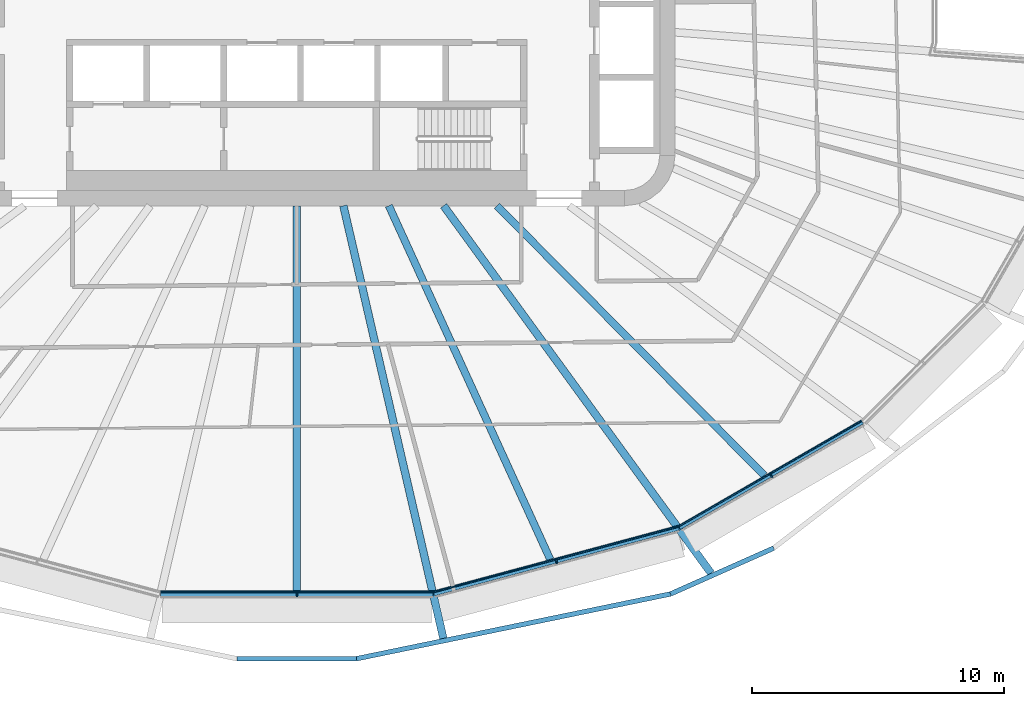
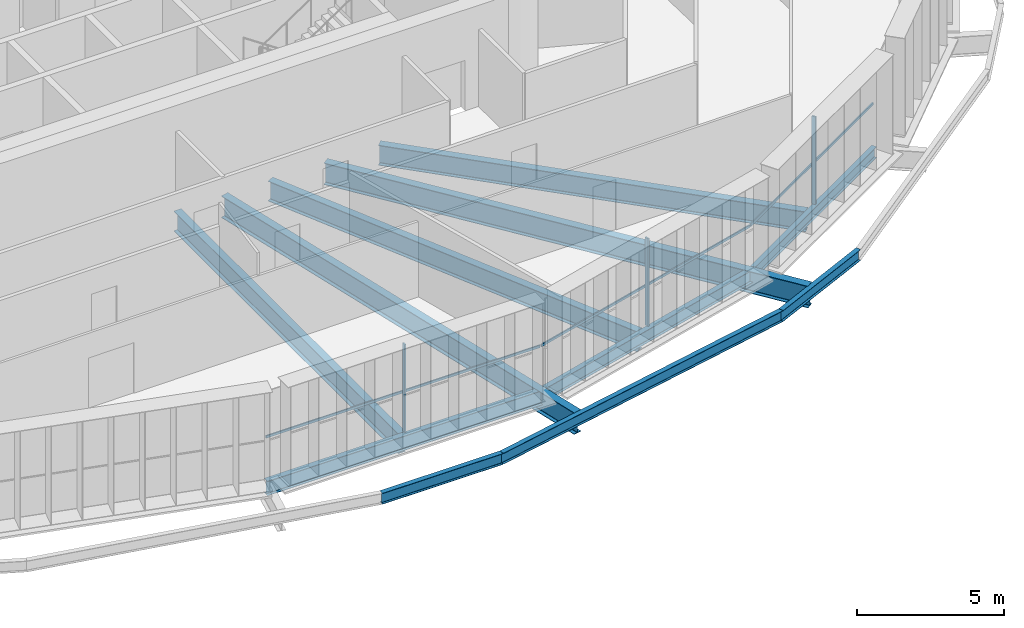
# One storey, part 4 of 28: 11 beams, 6 members, 3 elements without a shape of their own.
"""IFC4 building model written with IfcOpenShell, lengths in metres."""

from ifc_helpers import new_model, si_unit, direction, frame, origin, origin_2d, place, context, subcontext, project, spatial, rectangle, i_section, extrude, material, layer, layer_set, material_profile, profile_set, type_object, element, aggregate, save


model = new_model("IFC4")

# Units and contexts
model_context = context("Model", 3, precision=1e-05, world=origin(), true_north=direction((0.0, 1.0)))
body_context = subcontext(model_context, "Body", "Model", "MODEL_VIEW")
ifc_project = project(units=[si_unit("LENGTHUNIT", "METRE"), si_unit("AREAUNIT", "SQUARE_METRE"), si_unit("VOLUMEUNIT", "CUBIC_METRE"), si_unit("PLANEANGLEUNIT", "RADIAN"), si_unit("MASSUNIT", "GRAM", prefix="KILO")], contexts=[model_context])

# Site, building, storey
site_placement = place(None, origin())
site = spatial("IfcSite", under=ifc_project, at=site_placement, CompositionType="ELEMENT")
building_placement = place(site_placement, origin())
building = spatial("IfcBuilding", under=site, at=building_placement, Name="Sahrelin Media Tower", CompositionType="ELEMENT")
storey_placement = place(building_placement, frame((0.0, 0.0, 75.60009765625)))
storey = spatial("IfcBuildingStorey", under=building, at=storey_placement, Name="L13", CompositionType="ELEMENT", Elevation=75.60009765625)

# Beams
ifc_material_1 = material(Name="Steel S355", Category="steel")
ifc_material_profile_1 = material_profile(ifc_material_1, i_section(OverallWidth=0.1904296875, OverallDepth=0.45703125, WebThickness=0.009033203125, FlangeThickness=0.014404296875, FilletRadius=0.01025390625, at=origin_2d()), Name="UB 457x191x74")
ifc_profile_set_1 = profile_set([ifc_material_profile_1], Name="Steel S355")
beam_type_1 = type_object("IfcBeamType", Name="Edge beam EB5", PredefinedType="BEAM", material=ifc_profile_set_1)
beam_1_placement = place(storey_placement, frame((22.42529296875, -16.568603515625, -0.378662109375), z_axis=(-0.866015700557, -0.500016806107, 0.0), x_axis=(0.500016806107, -0.866015700557, 0.0)))
element("IfcBeam", 1, at=beam_1_placement, inside=storey, type_object=beam_type_1, Name="Edge beam L13-04", PredefinedType="BEAM", context=body_context, shape_type="SweptSolid", body=[
    extrude(i_section(OverallWidth=0.1904296875, OverallDepth=0.45703125, WebThickness=0.009033203125, FlangeThickness=0.014404296875, FilletRadius=0.01025390625, at=origin_2d()), origin(), (0.0, 0.0, 1.0), 8.376220703125),
])
ifc_material_profile_2 = material_profile(ifc_material_1, i_section(OverallWidth=0.208740234375, OverallDepth=0.5283203125, WebThickness=0.009521484375, FlangeThickness=0.01318359375, FilletRadius=0.0126953125, at=origin_2d()), Name="UB 533x210x82")
ifc_profile_set_2 = profile_set([ifc_material_profile_2], Name="Steel S355")
beam_type_2 = type_object("IfcBeamType", Name="Edge beam EB6", PredefinedType="BEAM", material=ifc_profile_set_2)
beam_2_placement = place(storey_placement, frame((15.144775390625, -20.767822265625, -0.414306640625), z_axis=(-0.965926812337, -0.258815365093, 0.0), x_axis=(0.258815365093, -0.965926812337, 0.0)))
element("IfcBeam", 2, at=beam_2_placement, inside=storey, type_object=beam_type_2, Name="Edge beam L13-05", PredefinedType="BEAM", context=body_context, shape_type="SweptSolid", body=[
    extrude(i_section(OverallWidth=0.208740234375, OverallDepth=0.5283203125, WebThickness=0.009521484375, FlangeThickness=0.01318359375, FilletRadius=0.0126953125, at=origin_2d()), origin(), (0.0, 0.0, 1.0), 10.056640625),
])
ifc_material_profile_3 = material_profile(ifc_material_1, i_section(OverallWidth=0.2275390625, OverallDepth=0.6025390625, WebThickness=0.010498046875, FlangeThickness=0.014892578125, FilletRadius=0.0126953125, at=origin_2d()), Name="UB 610x229x101")
ifc_profile_set_3 = profile_set([ifc_material_profile_3], Name="Steel S355")
beam_type_3 = type_object("IfcBeamType", Name="Edge beam EB7", PredefinedType="BEAM", material=ifc_profile_set_3)
beam_3_placement = place(storey_placement, frame((5.402099609375, -23.37451171875, -0.451416015625), z_axis=(-1.0, 0.0, 0.0), x_axis=(0.0, -1.0, 0.0)))
element("IfcBeam", 3, at=beam_3_placement, inside=storey, type_object=beam_type_3, Name="Edge beam L13-06", PredefinedType="BEAM", context=body_context, shape_type="SweptSolid", body=[
    extrude(i_section(OverallWidth=0.2275390625, OverallDepth=0.6025390625, WebThickness=0.010498046875, FlangeThickness=0.014892578125, FilletRadius=0.0126953125, at=origin_2d()), origin(), (0.0, 0.0, 1.0), 10.80419921875),
])

# Curtain wall, member
ifc_material_2 = material(Name="Champagne anodised aluminium 6063-T6", Category="aluminium")
ifc_layer = layer(ifc_material_2, 0.14990234375)
ifc_layer_set = layer_set([ifc_layer], Name="Tower ribbon curtain wall")
curtain_wall_type = type_object("IfcCurtainWallType", Name="Tower ribbon curtain wall", PredefinedType="NOTDEFINED", material=ifc_layer_set)
curtain_wall_1_placement = place(storey_placement, frame((0.0, -23.5244140625, 0.0), z_axis=(0.0, 0.0, 1.0), x_axis=(1.0, 0.0, 0.0)))
curtain_wall_1 = element("IfcCurtainWall", 4, at=curtain_wall_1_placement, inside=storey, type_object=curtain_wall_type, Name="L13:CW:L13-18", PredefinedType="NOTDEFINED")
ifc_material_profile_4 = material_profile(ifc_material_2, rectangle(XDim=0.06005859375, YDim=0.14990234375, at=origin_2d()), Name="Mullion 60x150")
ifc_profile_set_4 = profile_set([ifc_material_profile_4], Name="Champagne anodised aluminium 6063-T6")
member_type_1 = type_object("IfcMemberType", Name="Mullion 60x150 CW1", PredefinedType="MULLION", material=ifc_profile_set_4)
member_1_placement = place(storey_placement, frame((0.0, -23.429443359375, 0.0), z_axis=(0.0, 0.0, 1.0), x_axis=(1.0, 0.0, 0.0)))
member_1 = element("IfcMember", 5, at=member_1_placement, type_object=member_type_1, Name="L13:CWM:L13-18", PredefinedType="MULLION", context=body_context, shape_type="SweptSolid", body=[
    extrude(rectangle(XDim=0.06005859375, YDim=0.14990234375, at=origin_2d()), origin(), (0.0, 0.0, 1.0), 3.6484375),
])

curtain_wall_2_placement = place(storey_placement, frame((10.32666015625, -22.214111328125, 0.0), z_axis=(0.0, 0.0, 1.0), x_axis=(1.0, 0.0, 0.0)))
curtain_wall_2 = element("IfcCurtainWall", 6, at=curtain_wall_2_placement, inside=storey, type_object=curtain_wall_type, Name="L13:CW:L13-19", PredefinedType="NOTDEFINED")
member_2_placement = place(storey_placement, frame((10.302001953125, -22.122314453125, 0.0), z_axis=(0.0, 0.0, 1.0), x_axis=(0.965924922834, 0.258822416818, 0.0)))
member_2 = element("IfcMember", 7, at=member_2_placement, type_object=member_type_1, Name="L13:CWM:L13-19", PredefinedType="MULLION", context=body_context, shape_type="SweptSolid", body=[
    extrude(rectangle(XDim=0.06005859375, YDim=0.14990234375, at=origin_2d()), origin(), (0.0, 0.0, 1.0), 3.6484375),
])

curtain_wall_3_placement = place(storey_placement, frame((18.873291015625, -18.79248046875, 0.0), z_axis=(0.0, 0.0, 1.0), x_axis=(1.0, 0.0, 0.0)))
curtain_wall_3 = element("IfcCurtainWall", 8, at=curtain_wall_3_placement, inside=storey, type_object=curtain_wall_type, Name="L13:CW:L13-20", PredefinedType="NOTDEFINED")
member_3_placement = place(storey_placement, frame((18.82568359375, -18.710205078125, 0.0), z_axis=(0.0, 0.0, 1.0), x_axis=(0.866022785779, 0.500004534492, 0.0)))
member_3 = element("IfcMember", 9, at=member_3_placement, type_object=member_type_1, Name="L13:CWM:L13-20", PredefinedType="MULLION", context=body_context, shape_type="SweptSolid", body=[
    extrude(rectangle(XDim=0.06005859375, YDim=0.14990234375, at=origin_2d()), origin(), (0.0, 0.0, 1.0), 3.6484375),
])

# Beams
ifc_material_profile_5 = material_profile(ifc_material_1, i_section(OverallWidth=0.30322265625, OverallDepth=0.903076171875, WebThickness=0.01513671875, FlangeThickness=0.020263671875, FilletRadius=0.01904296875, at=origin_2d()), Name="UB 914x305x201")
ifc_profile_set_5 = profile_set([ifc_material_profile_5], Name="Steel S355")
beam_type_4 = type_object("IfcBeamType", Name="Radial primary beam PB11", PredefinedType="BEAM", material=ifc_profile_set_5)
beam_4_placement = place(storey_placement, frame((1.848876953125, -8.0, -0.6015625), z_axis=(0.22515720883, -0.9743224473, 0.0), x_axis=(0.9743224473, 0.22515720883, 0.0)))
element("IfcBeam", 10, at=beam_4_placement, inside=storey, type_object=beam_type_4, Name="Radial beam L13-19", PredefinedType="BEAM", context=body_context, shape_type="SweptSolid", body=[
    extrude(i_section(OverallWidth=0.30322265625, OverallDepth=0.903076171875, WebThickness=0.01513671875, FlangeThickness=0.020263671875, FilletRadius=0.01904296875, at=origin_2d()), origin(), (0.0, 0.0, 1.0), 17.608154296875),
])
beam_5_placement = place(storey_placement, frame((5.823486328125, -8.0, -0.6015625), z_axis=(0.588521920712, -0.808481260662, 0.0), x_axis=(0.808481260662, 0.588521920712, 0.0)))
element("IfcBeam", 11, at=beam_5_placement, inside=storey, type_object=beam_type_4, Name="Radial beam L13-20", PredefinedType="BEAM", context=body_context, shape_type="SweptSolid", body=[
    extrude(i_section(OverallWidth=0.30322265625, OverallDepth=0.903076171875, WebThickness=0.01513671875, FlangeThickness=0.020263671875, FilletRadius=0.01904296875, at=origin_2d()), origin(), (0.0, 0.0, 1.0), 18.027587890625),
])
ifc_material_profile_6 = material_profile(ifc_material_1, i_section(OverallWidth=0.291748046875, OverallDepth=0.8349609375, WebThickness=0.013916015625, FlangeThickness=0.018798828125, FilletRadius=0.017822265625, at=origin_2d()), Name="UB 838x292x176")
ifc_profile_set_6 = profile_set([ifc_material_profile_6], Name="Steel S355")
beam_type_5 = type_object("IfcBeamType", Name="Radial secondary beam SB10", PredefinedType="BEAM", material=ifc_profile_set_6)
beam_6_placement = place(storey_placement, frame((0.0, -8.0, -0.567626953125), z_axis=(0.0, -1.0, 0.0), x_axis=(1.0, 0.0, 0.0)))
element("IfcBeam", 12, at=beam_6_placement, inside=storey, type_object=beam_type_5, Name="Secondary beam L13-15", PredefinedType="BEAM", context=body_context, shape_type="SweptSolid", body=[
    extrude(i_section(OverallWidth=0.291748046875, OverallDepth=0.8349609375, WebThickness=0.013916015625, FlangeThickness=0.018798828125, FilletRadius=0.017822265625, at=origin_2d()), origin(), (0.0, 0.0, 1.0), 15.260498046875),
])
beam_7_placement = place(storey_placement, frame((3.6513671875, -8.0, -0.567626953125), z_axis=(0.415194910581, -0.909732480583, 0.0), x_axis=(0.909732480583, 0.415194910581, 0.0)))
element("IfcBeam", 13, at=beam_7_placement, inside=storey, type_object=beam_type_5, Name="Secondary beam L13-16", PredefinedType="BEAM", context=body_context, shape_type="SweptSolid", body=[
    extrude(i_section(OverallWidth=0.291748046875, OverallDepth=0.8349609375, WebThickness=0.013916015625, FlangeThickness=0.018798828125, FilletRadius=0.017822265625, at=origin_2d()), origin(), (0.0, 0.0, 1.0), 15.416015625),
])
beam_8_placement = place(storey_placement, frame((7.935546875, -8.0, -0.567626953125), z_axis=(0.704241258755, -0.709960737976, 0.0), x_axis=(0.709960737976, 0.704241258755, 0.0)))
element("IfcBeam", 14, at=beam_8_placement, inside=storey, type_object=beam_type_5, Name="Secondary beam L13-17", PredefinedType="BEAM", context=body_context, shape_type="SweptSolid", body=[
    extrude(i_section(OverallWidth=0.291748046875, OverallDepth=0.8349609375, WebThickness=0.013916015625, FlangeThickness=0.018798828125, FilletRadius=0.017822265625, at=origin_2d()), origin(), (0.0, 0.0, 1.0), 15.068115234375),
])
ifc_material_profile_7 = material_profile(ifc_material_1, i_section(OverallWidth=0.1904296875, OverallDepth=0.45703125, WebThickness=0.009033203125, FlangeThickness=0.014404296875, FilletRadius=0.01025390625, at=origin_2d()), Name="UB 457x191x74")
ifc_profile_set_7 = profile_set([ifc_material_profile_7], Name="Steel S355")
beam_type_6 = type_object("IfcBeamType", Name="Tie chord TC5", PredefinedType="BEAM", material=ifc_profile_set_7)
beam_9_placement = place(storey_placement, frame((-2.3623046875, -25.96484375, -0.378662109375), z_axis=(1.0, 0.0, 0.0), x_axis=(0.0, 1.0, 0.0)))
element("IfcBeam", 15, at=beam_9_placement, inside=storey, type_object=beam_type_6, Name="Tie chord L13-18", PredefinedType="BEAM", context=body_context, shape_type="SweptSolid", body=[
    extrude(i_section(OverallWidth=0.1904296875, OverallDepth=0.45703125, WebThickness=0.009033203125, FlangeThickness=0.014404296875, FilletRadius=0.01025390625, at=origin_2d()), origin(), (0.0, 0.0, 1.0), 4.724609375),
])
beam_10_placement = place(storey_placement, frame((2.3623046875, -25.96484375, -0.378662109375), z_axis=(0.979386410906, 0.201995688401, 0.0), x_axis=(-0.201995688401, 0.979386410906, 0.0)))
element("IfcBeam", 16, at=beam_10_placement, inside=storey, type_object=beam_type_6, Name="Tie chord L13-19", PredefinedType="BEAM", context=body_context, shape_type="SweptSolid", body=[
    extrude(i_section(OverallWidth=0.1904296875, OverallDepth=0.45703125, WebThickness=0.009033203125, FlangeThickness=0.014404296875, FilletRadius=0.01025390625, at=origin_2d()), origin(), (0.0, 0.0, 1.0), 12.720947265625),
])
beam_11_placement = place(storey_placement, frame((14.821044921875, -23.395263671875, -0.378662109375), z_axis=(0.913840777951, 0.406072693681, 0.0), x_axis=(-0.406072693681, 0.913840777951, 0.0)))
element("IfcBeam", 17, at=beam_11_placement, inside=storey, type_object=beam_type_6, Name="Tie chord L13-20", PredefinedType="BEAM", context=body_context, shape_type="SweptSolid", body=[
    extrude(i_section(OverallWidth=0.1904296875, OverallDepth=0.45703125, WebThickness=0.009033203125, FlangeThickness=0.014404296875, FilletRadius=0.01025390625, at=origin_2d()), origin(), (0.0, 0.0, 1.0), 4.477294921875),
])

# Member
ifc_material_profile_8 = material_profile(ifc_material_2, rectangle(XDim=0.050048828125, YDim=0.10009765625, at=origin_2d()), Name="Transom 50x100")
ifc_profile_set_8 = profile_set([ifc_material_profile_8], Name="Champagne anodised aluminium 6063-T6")
member_type_2 = type_object("IfcMemberType", Name="Transom 50x100 CW1", PredefinedType="USERDEFINED", material=ifc_profile_set_8)
member_4_placement = place(storey_placement, frame((-5.386474609375, -23.329345703125, 1.599853515625), z_axis=(1.0, 0.0, 0.0), x_axis=(0.0, 1.0, 0.0)))
member_4 = element("IfcMember", 18, at=member_4_placement, type_object=member_type_2, Name="L13:CWT:L13-18", ObjectType="TRANSOM", PredefinedType="USERDEFINED", context=body_context, shape_type="SweptSolid", body=[
    extrude(rectangle(XDim=0.050048828125, YDim=0.10009765625, at=origin_2d()), origin(), (0.0, 0.0, 1.0), 10.77294921875),
])

aggregate(curtain_wall_1, [member_1, member_4])

member_5_placement = place(storey_placement, frame((5.434326171875, -23.322998046875, 1.599853515625), z_axis=(0.965931529301, 0.258797760233, 0.0), x_axis=(-0.258797760233, 0.965931529301, 0.0)))
member_5 = element("IfcMember", 19, at=member_5_placement, type_object=member_type_2, Name="L13:CWT:L13-19", ObjectType="TRANSOM", PredefinedType="USERDEFINED", context=body_context, shape_type="SweptSolid", body=[
    extrude(rectangle(XDim=0.050048828125, YDim=0.10009765625, at=origin_2d()), origin(), (0.0, 0.0, 1.0), 10.025146484375),
])

aggregate(curtain_wall_2, [member_2, member_5])

member_6_placement = place(storey_placement, frame((15.162353515625, -20.7099609375, 1.599853515625), z_axis=(0.866021890525, 0.500006085094, 0.0), x_axis=(-0.500006085094, 0.866021890525, 0.0)))
member_6 = element("IfcMember", 20, at=member_6_placement, type_object=member_type_2, Name="L13:CWT:L13-20", ObjectType="TRANSOM", PredefinedType="USERDEFINED", context=body_context, shape_type="SweptSolid", body=[
    extrude(rectangle(XDim=0.050048828125, YDim=0.10009765625, at=origin_2d()), origin(), (0.0, 0.0, 1.0), 8.34521484375),
])

aggregate(curtain_wall_3, [member_3, member_6])

save(model, "model.ifc")
